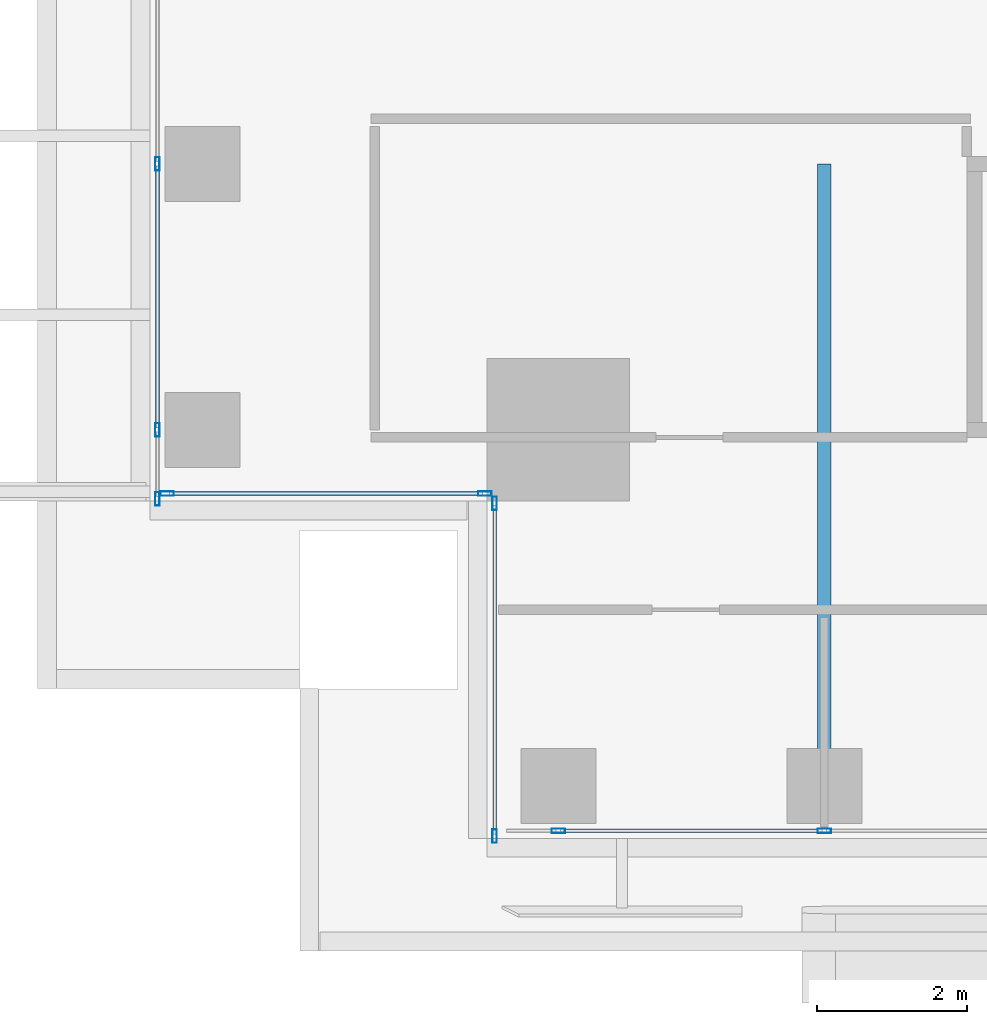
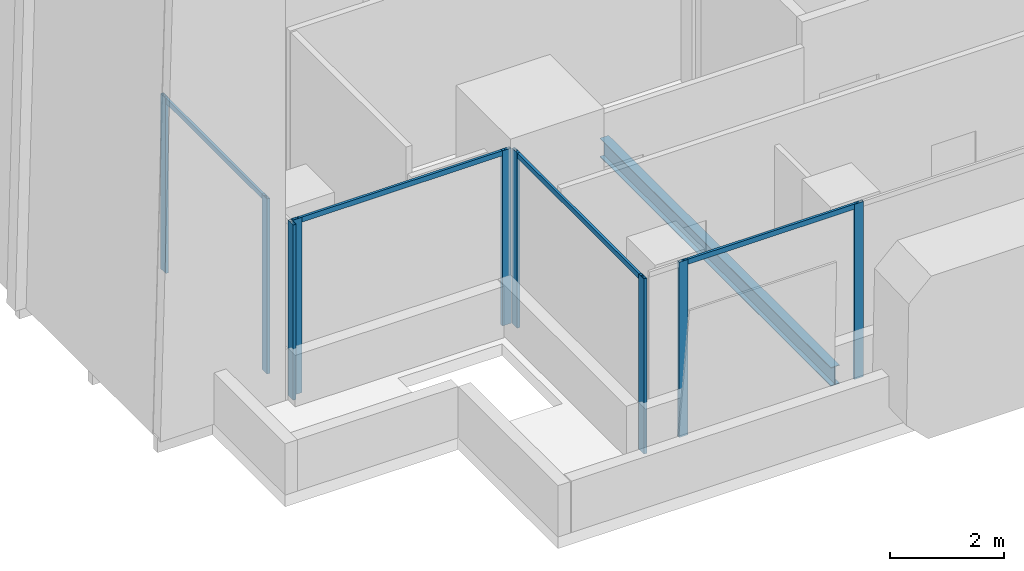
# One storey, part 2 of 43: 13 members, 1 beam, 4 elements without a shape of their own.
"""IFC4 building model written with IfcOpenShell, lengths in metres."""

from ifc_helpers import new_model, si_unit, direction, frame, origin, origin_2d, place, context, subcontext, project, spatial, hollow_rectangle, i_section, extrude, source, transform, mapped, material, material_profile, profile_set, type_object, element, aggregate, save


model = new_model("IFC4")

# Units and contexts
model_context = context("Model", 3, precision=1e-05, world=origin(), true_north=direction((0.0, 1.0)))
body_context = subcontext(model_context, "Body", "Model", "MODEL_VIEW")
ifc_project = project(units=[si_unit("LENGTHUNIT", "METRE"), si_unit("AREAUNIT", "SQUARE_METRE"), si_unit("VOLUMEUNIT", "CUBIC_METRE"), si_unit("PLANEANGLEUNIT", "RADIAN"), si_unit("MASSUNIT", "GRAM", prefix="KILO")], contexts=[model_context])

# Site, building, storey
site_placement = place(None, origin())
site = spatial("IfcSite", under=ifc_project, at=site_placement, CompositionType="ELEMENT")
building_placement = place(site_placement, origin())
building = spatial("IfcBuilding", under=site, at=building_placement, Name="Khomas Fold Tower", CompositionType="ELEMENT")
storey_placement = place(building_placement, frame((0.0, 0.0, 164.699951171875)))
storey = spatial("IfcBuildingStorey", under=building, at=storey_placement, Name="L35", CompositionType="ELEMENT", Elevation=164.699951171875)

# Beam
ifc_material_1 = material(Name="Steel S355", Category="steel")
ifc_material_profile_1 = material_profile(ifc_material_1, i_section(OverallWidth=0.179931640625, OverallDepth=0.39990234375, WebThickness=0.008544921875, FlangeThickness=0.013427734375, at=origin_2d()), Name="IPE 400")
ifc_profile_set_1 = profile_set([ifc_material_profile_1], Name="Steel S355")
beam_type = type_object("IfcBeamType", Name="IPE 400 beam JB3", PredefinedType="BEAM", material=ifc_profile_set_1)
shared_shape_1 = source(origin(), body_context, "Body", "SweptSolid", [
    extrude(i_section(OverallWidth=0.179931640625, OverallDepth=0.39990234375, WebThickness=0.008544921875, FlangeThickness=0.013427734375, at=origin_2d()), origin(), (0.0, 0.0, 1.0), 8.10009765625),
])
beam_placement = place(storey_placement, frame((12.0, 3.89990234375, -0.449951171875), z_axis=(0.0, 1.0, 0.0), x_axis=(-1.0, 0.0, 0.0)))
element("IfcBeam", 1, at=beam_placement, inside=storey, type_object=beam_type, Name="JB3", PredefinedType="BEAM", context=body_context, shape_type="MappedRepresentation", body=[
    mapped(shared_shape_1, transform((0.0, 0.0, 0.0))),
])

# Curtain wall, members
ifc_material_2 = material(Name="Aluminium framed double glazing", Category="aluminium")
curtain_wall_type = type_object("IfcCurtainWallType", Name="SK-Unitised clear-glass wall, office floors CW2", PredefinedType="NOTDEFINED", material=ifc_material_2)
curtain_wall_1_placement = place(storey_placement, origin())
curtain_wall_1 = element("IfcCurtainWall", 2, at=curtain_wall_1_placement, inside=storey, type_object=curtain_wall_type, Name="CW2 corner return L35 00", PredefinedType="NOTDEFINED")
ifc_material_3 = material(Name="Aluminium", Category="aluminium")
ifc_material_profile_2 = material_profile(ifc_material_3, hollow_rectangle(XDim=0.06005859375, YDim=0.179931640625, WallThickness=0.00390625, at=origin_2d()), Name="SK-Unitised clear-glass wall, office floors mullion CW2-M")
ifc_profile_set_2 = profile_set([ifc_material_profile_2], Name="Aluminium")
member_type_1 = type_object("IfcMemberType", Name="SK-Unitised clear-glass wall, office floors mullion CW2-M", PredefinedType="MULLION", material=ifc_profile_set_2)
shared_shape_2 = source(origin(), body_context, "Body", "SweptSolid", [
    extrude(hollow_rectangle(XDim=0.06005859375, YDim=0.179931640625, WallThickness=0.00390625, at=origin_2d()), origin(), (0.0, 0.0, 1.0), 3.75),
])
member_1_placement = place(storey_placement, frame((7.60009765625, 7.469970703125, 0.0), z_axis=(0.0, 0.0, 1.0), x_axis=(1.0, 0.0, 0.0)))
member_1 = element("IfcMember", 3, at=member_1_placement, type_object=member_type_1, Name="CW2 mullion 1", PredefinedType="MULLION", context=body_context, shape_type="MappedRepresentation", body=[
    mapped(shared_shape_2, transform((0.0, 0.0, 0.0))),
])
member_2_placement = place(storey_placement, frame((7.60009765625, 3.030029296875, 0.0), z_axis=(0.0, 0.0, 1.0), x_axis=(1.0, 0.0, 0.0)))
member_2 = element("IfcMember", 4, at=member_2_placement, type_object=member_type_1, Name="CW2 mullion 2", PredefinedType="MULLION", context=body_context, shape_type="MappedRepresentation", body=[
    mapped(shared_shape_2, transform((0.0, 0.0, 0.0))),
])

curtain_wall_2_placement = place(storey_placement, origin())
curtain_wall_2 = element("IfcCurtainWall", 5, at=curtain_wall_2_placement, inside=storey, type_object=curtain_wall_type, Name="CW2 run L35 01-0", PredefinedType="NOTDEFINED")
member_3_placement = place(storey_placement, frame((8.449951171875, 3.10009765625, 0.0), z_axis=(0.0, 0.0, 1.0), x_axis=(0.0, 1.0, 0.0)))
member_3 = element("IfcMember", 6, at=member_3_placement, type_object=member_type_1, Name="CW2 mullion 2", PredefinedType="MULLION", context=body_context, shape_type="MappedRepresentation", body=[
    mapped(shared_shape_2, transform((0.0, 0.0, 0.0))),
])
member_4_placement = place(storey_placement, frame((12.0, 3.10009765625, 0.0), z_axis=(0.0, 0.0, 1.0), x_axis=(0.0, 1.0, 0.0)))
member_4 = element("IfcMember", 7, at=member_4_placement, type_object=member_type_1, Name="CW2 mullion 3", PredefinedType="MULLION", context=body_context, shape_type="MappedRepresentation", body=[
    mapped(shared_shape_2, transform((0.0, 0.0, 0.0))),
])

curtain_wall_3_placement = place(storey_placement, origin())
curtain_wall_3 = element("IfcCurtainWall", 8, at=curtain_wall_3_placement, inside=storey, type_object=curtain_wall_type, Name="CW2 run L35 18-0", PredefinedType="NOTDEFINED")
member_5_placement = place(storey_placement, frame((3.10009765625, 12.0, 0.0), z_axis=(0.0, 0.0, 1.0), x_axis=(1.0, 0.0, 0.0)))
member_5 = element("IfcMember", 9, at=member_5_placement, type_object=member_type_1, Name="CW2 mullion 7", PredefinedType="MULLION", context=body_context, shape_type="MappedRepresentation", body=[
    mapped(shared_shape_2, transform((0.0, 0.0, 0.0))),
])
member_6_placement = place(storey_placement, frame((3.10009765625, 8.449951171875, 0.0), z_axis=(0.0, 0.0, 1.0), x_axis=(1.0, 0.0, 0.0)))
member_6 = element("IfcMember", 10, at=member_6_placement, type_object=member_type_1, Name="CW2 mullion 8", PredefinedType="MULLION", context=body_context, shape_type="MappedRepresentation", body=[
    mapped(shared_shape_2, transform((0.0, 0.0, 0.0))),
])
member_7_placement = place(storey_placement, frame((3.10009765625, 7.530029296875, 0.0), z_axis=(0.0, 0.0, 1.0), x_axis=(1.0, 0.0, 0.0)))
member_7 = element("IfcMember", 11, at=member_7_placement, type_object=member_type_1, Name="CW2 mullion 9", PredefinedType="MULLION", context=body_context, shape_type="MappedRepresentation", body=[
    mapped(shared_shape_2, transform((0.0, 0.0, 0.0))),
])

curtain_wall_4_placement = place(storey_placement, origin())
curtain_wall_4 = element("IfcCurtainWall", 12, at=curtain_wall_4_placement, inside=storey, type_object=curtain_wall_type, Name="CW2 corner return L35 19", PredefinedType="NOTDEFINED")
member_8_placement = place(storey_placement, frame((3.22998046875, 7.60009765625, 0.0), z_axis=(0.0, 0.0, 1.0), x_axis=(0.0, 1.0, 0.0)))
member_8 = element("IfcMember", 13, at=member_8_placement, type_object=member_type_1, Name="CW2 mullion 1", PredefinedType="MULLION", context=body_context, shape_type="MappedRepresentation", body=[
    mapped(shared_shape_2, transform((0.0, 0.0, 0.0))),
])
member_9_placement = place(storey_placement, frame((7.469970703125, 7.60009765625, 0.0), z_axis=(0.0, 0.0, 1.0), x_axis=(0.0, 1.0, 0.0)))
member_9 = element("IfcMember", 14, at=member_9_placement, type_object=member_type_1, Name="CW2 mullion 2", PredefinedType="MULLION", context=body_context, shape_type="MappedRepresentation", body=[
    mapped(shared_shape_2, transform((0.0, 0.0, 0.0))),
])

# Member
ifc_material_4 = material(Name="Aluminium", Category="aluminium")
ifc_material_profile_3 = material_profile(ifc_material_4, hollow_rectangle(XDim=0.050048828125, YDim=0.110107421875, WallThickness=0.00390625, at=origin_2d()), Name="SK-Unitised clear-glass wall, office floors transom CW2-T")
ifc_profile_set_3 = profile_set([ifc_material_profile_3], Name="Aluminium")
member_type_2 = type_object("IfcMemberType", Name="SK-Unitised clear-glass wall, office floors transom CW2-T", PredefinedType="USERDEFINED", material=ifc_profile_set_3)
shared_shape_3 = source(origin(), body_context, "Body", "SweptSolid", [
    extrude(hollow_rectangle(XDim=0.050048828125, YDim=0.110107421875, WallThickness=0.00390625, at=origin_2d()), origin(), (0.0, 0.0, 1.0), 4.3798828125),
])
member_10_placement = place(storey_placement, frame((7.60009765625, 7.43994140625, 3.695068359375), z_axis=(0.0, -1.0, 0.0), x_axis=(1.0, 0.0, 0.0)))
member_10 = element("IfcMember", 15, at=member_10_placement, type_object=member_type_2, Name="CW2 transom 1", ObjectType="TRANSOM", PredefinedType="USERDEFINED", context=body_context, shape_type="MappedRepresentation", body=[
    mapped(shared_shape_3, transform((0.0, 0.0, 0.0))),
])

aggregate(curtain_wall_1, [member_1, member_2, member_10])

shared_shape_4 = source(origin(), body_context, "Body", "SweptSolid", [
    extrude(hollow_rectangle(XDim=0.050048828125, YDim=0.110107421875, WallThickness=0.00390625, at=origin_2d()), origin(), (0.0, 0.0, 1.0), 3.489990234375),
])
member_11_placement = place(storey_placement, frame((8.47998046875, 3.10009765625, 3.695068359375), z_axis=(1.0, 0.0, 0.0), x_axis=(0.0, 1.0, 0.0)))
member_11 = element("IfcMember", 16, at=member_11_placement, type_object=member_type_2, Name="CW2 transom 2", ObjectType="TRANSOM", PredefinedType="USERDEFINED", context=body_context, shape_type="MappedRepresentation", body=[
    mapped(shared_shape_4, transform((0.0, 0.0, 0.0))),
])

aggregate(curtain_wall_2, [member_3, member_4, member_11])

member_12_placement = place(storey_placement, frame((3.10009765625, 11.969970703125, 3.695068359375), z_axis=(0.0, -1.0, 0.0), x_axis=(1.0, 0.0, 0.0)))
member_12 = element("IfcMember", 17, at=member_12_placement, type_object=member_type_2, Name="CW2 transom 7", ObjectType="TRANSOM", PredefinedType="USERDEFINED", context=body_context, shape_type="MappedRepresentation", body=[
    mapped(shared_shape_4, transform((0.0, 0.0, 0.0))),
])

aggregate(curtain_wall_3, [member_5, member_6, member_7, member_12])

shared_shape_5 = source(origin(), body_context, "Body", "SweptSolid", [
    extrude(hollow_rectangle(XDim=0.050048828125, YDim=0.110107421875, WallThickness=0.00390625, at=origin_2d()), origin(), (0.0, 0.0, 1.0), 4.179931640625),
])
member_13_placement = place(storey_placement, frame((3.260009765625, 7.60009765625, 3.695068359375), z_axis=(1.0, 0.0, 0.0), x_axis=(0.0, 1.0, 0.0)))
member_13 = element("IfcMember", 18, at=member_13_placement, type_object=member_type_2, Name="CW2 transom 1", ObjectType="TRANSOM", PredefinedType="USERDEFINED", context=body_context, shape_type="MappedRepresentation", body=[
    mapped(shared_shape_5, transform((0.0, 0.0, 0.0))),
])

aggregate(curtain_wall_4, [member_8, member_9, member_13])

save(model, "model.ifc")
